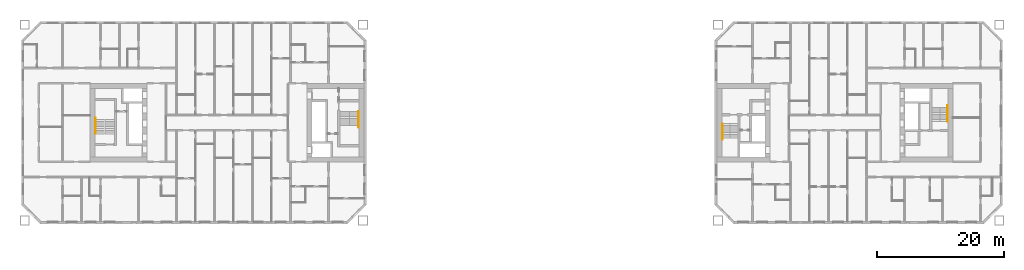
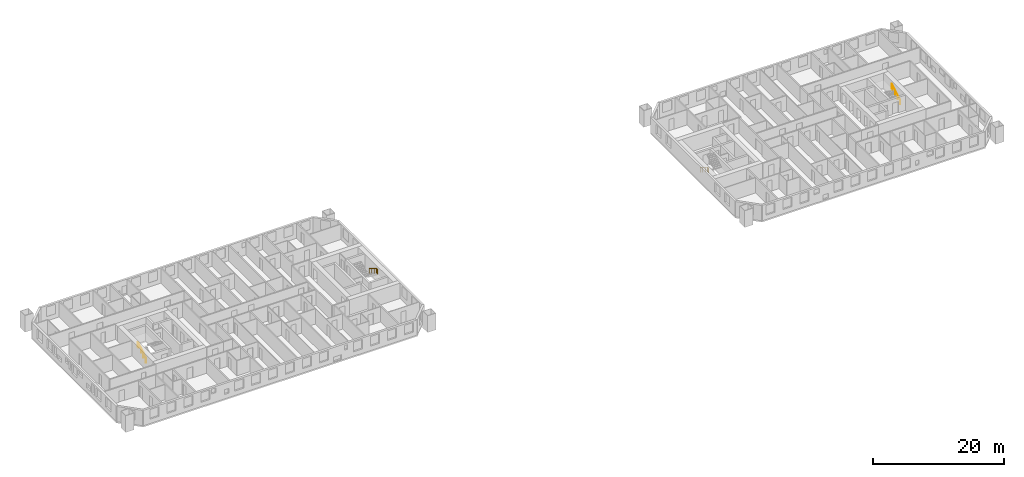
# One storey, part 17 of 17: 4 railings.
"""IFC4 building model written with IfcOpenShell, lengths in metres."""

from ifc_helpers import new_model, si_unit, direction, frame, origin, origin_2d, place, context, subcontext, project, spatial, circle, extrude, material, type_object, element, save


model = new_model("IFC4")

# Units and contexts
model_context = context("Model", 3, precision=1e-05, world=origin(), true_north=direction((0.0, 1.0)))
body_context = subcontext(model_context, "Body", "Model", "MODEL_VIEW")
ifc_project = project(units=[si_unit("LENGTHUNIT", "METRE"), si_unit("AREAUNIT", "SQUARE_METRE"), si_unit("VOLUMEUNIT", "CUBIC_METRE"), si_unit("PLANEANGLEUNIT", "RADIAN"), si_unit("MASSUNIT", "GRAM", prefix="KILO")], contexts=[model_context])

# Site, building, storey
site_placement = place(None, origin())
site = spatial("IfcSite", under=ifc_project, at=site_placement, CompositionType="ELEMENT")
building_placement = place(site_placement, origin())
building = spatial("IfcBuilding", under=site, at=building_placement, Name="Tuart Gate Housing", CompositionType="ELEMENT")
storey_placement = place(building_placement, frame((0.0, 0.0, 53.60009765625)))
storey = spatial("IfcBuildingStorey", under=building, at=storey_placement, Name="L14", CompositionType="ELEMENT", Elevation=53.60009765625)

# Railings
ifc_material = material(Name="Stainless steel", Category="steel")
railing_type = type_object("IfcRailingType", Name="Stair handrail 900", PredefinedType="HANDRAIL", material=ifc_material)
railing_1_placement = place(storey_placement, frame((74.780029296875, 71.77490234375, 0.172119140625)))
element("IfcRailing", 1, at=railing_1_placement, inside=storey, type_object=railing_type, Name="Stair handrail SA1.1", PredefinedType="HANDRAIL", context=body_context, shape_type="SweptSolid", body=[
    extrude(circle(Radius=0.02392578125, at=origin_2d()), frame((0.0, 0.0, 0.8759765625), z_axis=(0.0, -0.85178898068, 0.523885037382), x_axis=(1.0, 0.0, 0.0)), (0.0, 0.0, 1.0), 2.629638671875),
    extrude(circle(Radius=0.02392578125, at=origin_2d()), frame((0.0, -2.239990234375, 2.25341796875), z_axis=(0.0, -1.0, 0.0), x_axis=(1.0, 0.0, 0.0)), (0.0, 0.0, 1.0), 0.2998046875),
    extrude(circle(Radius=0.02099609375, at=origin_2d()), origin(), (0.0, 0.0, 1.0), 0.851806640625),
    extrude(circle(Radius=0.02099609375, at=origin_2d()), frame((0.0, -0.74658203125, 0.459228515625)), (0.0, 0.0, 1.0), 0.851806640625),
    extrude(circle(Radius=0.02099609375, at=origin_2d()), frame((0.0, -1.493408203125, 0.91845703125)), (0.0, 0.0, 1.0), 0.851806640625),
    extrude(circle(Radius=0.02099609375, at=origin_2d()), frame((0.0, -2.239990234375, 1.377685546875)), (0.0, 0.0, 1.0), 0.851806640625),
    extrude(circle(Radius=0.02099609375, at=origin_2d()), frame((0.0, -2.539794921875, 1.377685546875)), (0.0, 0.0, 1.0), 0.851806640625),
])
railing_2_placement = place(storey_placement, frame((33.219970703125, 68.22509765625, 0.172119140625)))
element("IfcRailing", 2, at=railing_2_placement, inside=storey, type_object=railing_type, Name="Stair handrail SA2.1", PredefinedType="HANDRAIL", context=body_context, shape_type="SweptSolid", body=[
    extrude(circle(Radius=0.02392578125, at=origin_2d()), frame((0.0, 0.0, 0.8759765625), z_axis=(0.0, 0.85178898068, 0.523885037382), x_axis=(-1.0, 0.0, 0.0)), (0.0, 0.0, 1.0), 2.629638671875),
    extrude(circle(Radius=0.02392578125, at=origin_2d()), frame((0.0, 2.239990234375, 2.25341796875), z_axis=(0.0, 1.0, 0.0), x_axis=(-1.0, 0.0, 0.0)), (0.0, 0.0, 1.0), 0.2998046875),
    extrude(circle(Radius=0.02099609375, at=origin_2d()), origin(), (0.0, 0.0, 1.0), 0.851806640625),
    extrude(circle(Radius=0.02099609375, at=origin_2d()), frame((0.0, 0.74658203125, 0.459228515625)), (0.0, 0.0, 1.0), 0.851806640625),
    extrude(circle(Radius=0.02099609375, at=origin_2d()), frame((0.0, 1.493408203125, 0.91845703125)), (0.0, 0.0, 1.0), 0.851806640625),
    extrude(circle(Radius=0.02099609375, at=origin_2d()), frame((0.0, 2.239990234375, 1.377685546875)), (0.0, 0.0, 1.0), 0.851806640625),
    extrude(circle(Radius=0.02099609375, at=origin_2d()), frame((0.0, 2.539794921875, 1.377685546875)), (0.0, 0.0, 1.0), 0.851806640625),
])
railing_3_placement = place(storey_placement, frame((132.219970703125, 69.824951171875, 0.172119140625)))
element("IfcRailing", 3, at=railing_3_placement, inside=storey, type_object=railing_type, Name="Stair handrail SB1.1", PredefinedType="HANDRAIL", context=body_context, shape_type="SweptSolid", body=[
    extrude(circle(Radius=0.02392578125, at=origin_2d()), frame((0.0, 0.0, 0.8759765625), z_axis=(0.0, -0.85178898068, 0.523885037382), x_axis=(1.0, 0.0, 0.0)), (0.0, 0.0, 1.0), 2.629638671875),
    extrude(circle(Radius=0.02392578125, at=origin_2d()), frame((0.0, -2.239990234375, 2.25341796875), z_axis=(0.0, -1.0, 0.0), x_axis=(1.0, 0.0, 0.0)), (0.0, 0.0, 1.0), 0.300048828125),
    extrude(circle(Radius=0.02099609375, at=origin_2d()), origin(), (0.0, 0.0, 1.0), 0.851806640625),
    extrude(circle(Radius=0.02099609375, at=origin_2d()), frame((0.0, -0.74658203125, 0.459228515625)), (0.0, 0.0, 1.0), 0.851806640625),
    extrude(circle(Radius=0.02099609375, at=origin_2d()), frame((0.0, -1.493408203125, 0.91845703125)), (0.0, 0.0, 1.0), 0.851806640625),
    extrude(circle(Radius=0.02099609375, at=origin_2d()), frame((0.0, -2.239990234375, 1.377685546875)), (0.0, 0.0, 1.0), 0.851806640625),
    extrude(circle(Radius=0.02099609375, at=origin_2d()), frame((0.0, -2.5400390625, 1.377685546875)), (0.0, 0.0, 1.0), 0.851806640625),
])
railing_4_placement = place(storey_placement, frame((167.780029296875, 70.175048828125, 0.172119140625)))
element("IfcRailing", 4, at=railing_4_placement, inside=storey, type_object=railing_type, Name="Stair handrail SB2.1", PredefinedType="HANDRAIL", context=body_context, shape_type="SweptSolid", body=[
    extrude(circle(Radius=0.02392578125, at=origin_2d()), frame((0.0, 0.0, 0.8759765625), z_axis=(0.0, 0.85178898068, 0.523885037382), x_axis=(-1.0, 0.0, 0.0)), (0.0, 0.0, 1.0), 2.629638671875),
    extrude(circle(Radius=0.02392578125, at=origin_2d()), frame((0.0, 2.239990234375, 2.25341796875), z_axis=(0.0, 1.0, 0.0), x_axis=(-1.0, 0.0, 0.0)), (0.0, 0.0, 1.0), 0.300048828125),
    extrude(circle(Radius=0.02099609375, at=origin_2d()), origin(), (0.0, 0.0, 1.0), 0.851806640625),
    extrude(circle(Radius=0.02099609375, at=origin_2d()), frame((0.0, 0.74658203125, 0.459228515625)), (0.0, 0.0, 1.0), 0.851806640625),
    extrude(circle(Radius=0.02099609375, at=origin_2d()), frame((0.0, 1.493408203125, 0.91845703125)), (0.0, 0.0, 1.0), 0.851806640625),
    extrude(circle(Radius=0.02099609375, at=origin_2d()), frame((0.0, 2.239990234375, 1.377685546875)), (0.0, 0.0, 1.0), 0.851806640625),
    extrude(circle(Radius=0.02099609375, at=origin_2d()), frame((0.0, 2.5400390625, 1.377685546875)), (0.0, 0.0, 1.0), 0.851806640625),
])

save(model, "model.ifc")
